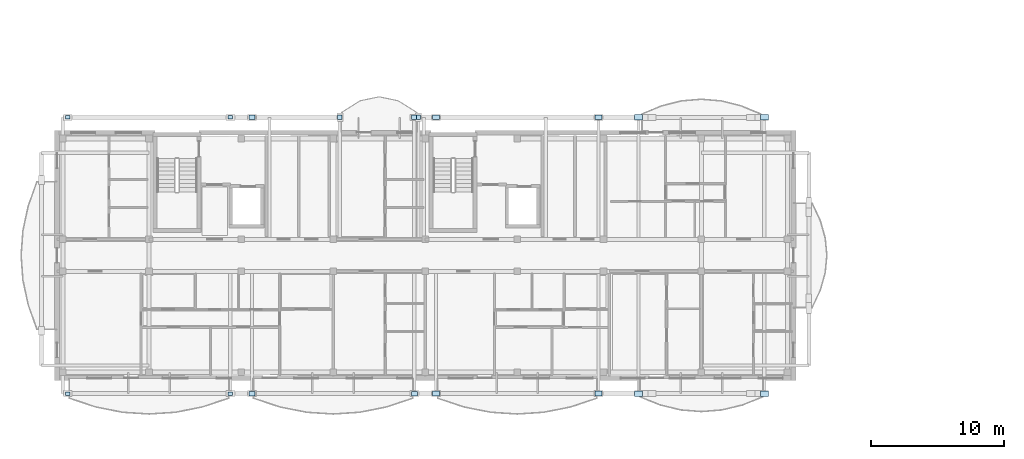
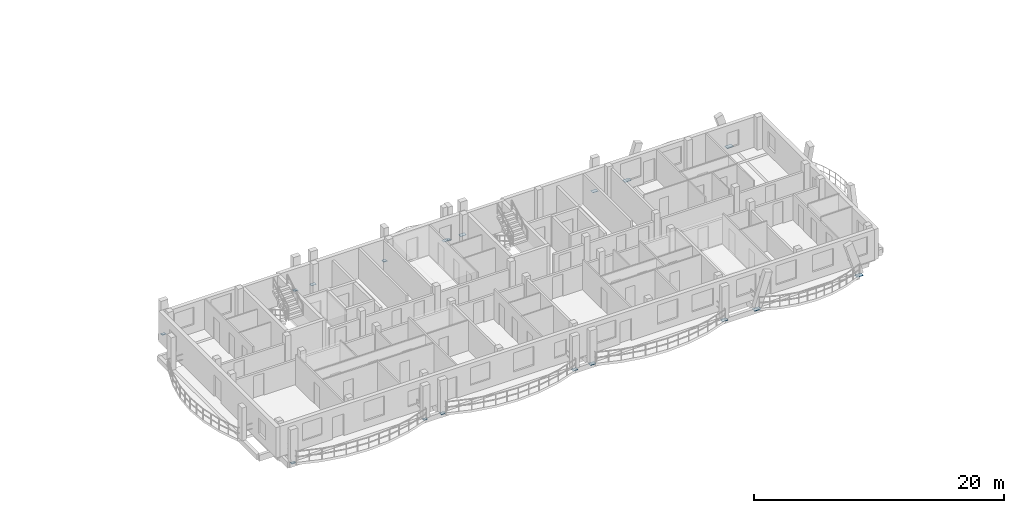
# One storey, part 10 of 44: 18 plates.
"""IFC4 building model written with IfcOpenShell, lengths in metres."""

from ifc_helpers import new_model, si_unit, direction, frame, origin, origin_2d, place, context, subcontext, project, spatial, rectangle, extrude, material, layer, layer_set, type_object, element, save


model = new_model("IFC4")

# Units and contexts
model_context = context("Model", 3, precision=1e-05, world=origin(), true_north=direction((0.0, 1.0)))
body_context = subcontext(model_context, "Body", "Model", "MODEL_VIEW")
ifc_project = project(units=[si_unit("LENGTHUNIT", "METRE"), si_unit("AREAUNIT", "SQUARE_METRE"), si_unit("VOLUMEUNIT", "CUBIC_METRE"), si_unit("PLANEANGLEUNIT", "RADIAN"), si_unit("MASSUNIT", "GRAM", prefix="KILO")], contexts=[model_context])

# Site, building, storey
site_placement = place(None, origin())
site = spatial("IfcSite", under=ifc_project, at=site_placement, CompositionType="ELEMENT")
building_placement = place(site_placement, origin())
building = spatial("IfcBuilding", under=site, at=building_placement, Name="Zavelmont Quarter", CompositionType="ELEMENT")
storey_placement = place(building_placement, frame((0.0, 0.0, 20.800048828125)))
storey = spatial("IfcBuildingStorey", under=building, at=storey_placement, Name="L06", CompositionType="ELEMENT", Elevation=20.800048828125)

# Plates
ifc_material = material(Name="Steel S355", Category="steel")
ifc_layer_1 = layer(ifc_material, 0.02392578125)
ifc_layer_set_1 = layer_set([ifc_layer_1], Name="Steel S355")
plate_type_1 = type_object("IfcPlateType", Name="NP02", PredefinedType="SHEET", material=ifc_layer_set_1)
for number, where, z_axis, x_axis, name in (
    (1, (0.812255859375, -1.162109375, -0.2119140625), (0.0, 0.0, 1.0), (1.0, 0.0, 0.0), "L06 steel connection plate NP02 at 1/A"),
    (2, (12.98779296875, -1.162109375, -0.2119140625), (0.0, 0.0, 1.0), (1.0, 0.0, 0.0), "L06 steel connection plate NP02 at 3/A"),
    (3, (0.812255859375, 19.56201171875, -0.2119140625), (0.0, 0.0, 1.0), (1.0, 0.0, 0.0), "L06 steel connection plate NP02 at 1/D"),
    (4, (12.98779296875, 19.56201171875, -0.2119140625), (0.0, 0.0, 1.0), (1.0, 0.0, 0.0), "L06 steel connection plate NP02 at 3/D"),
):
    element("IfcPlate", number, at=place(storey_placement, frame(where, z_axis=z_axis, x_axis=x_axis)), inside=storey, type_object=plate_type_1, Name=name, PredefinedType="SHEET", context=body_context, shape_type="SweptSolid", body=[
        extrude(rectangle(XDim=0.360107421875, YDim=0.260009765625, at=origin_2d()), origin(), (0.0, 0.0, 1.0), 0.02392578125),
    ])
ifc_layer_2 = layer(ifc_material, 0.02490234375)
ifc_layer_set_2 = layer_set([ifc_layer_2], Name="Steel S355")
plate_type_2 = type_object("IfcPlateType", Name="NP03", PredefinedType="SHEET", material=ifc_layer_set_2)
for number, where, z_axis, x_axis, name in (
    (5, (14.6123046875, -1.162109375, -0.21240234375), (0.0, 0.0, 1.0), (1.0, 0.0, 0.0), "L06 steel connection plate NP03 at 3/A"),
    (6, (26.787841796875, -1.162109375, -0.21240234375), (0.0, 0.0, 1.0), (1.0, 0.0, 0.0), "L06 steel connection plate NP03 at 5/A"),
    (7, (14.6123046875, 19.56201171875, -0.21240234375), (0.0, 0.0, 1.0), (1.0, 0.0, 0.0), "L06 steel connection plate NP03 at 3/D"),
    (8, (26.787841796875, 19.56201171875, -0.21240234375), (0.0, 0.0, 1.0), (1.0, 0.0, 0.0), "L06 steel connection plate NP03 at 5/D"),
):
    element("IfcPlate", number, at=place(storey_placement, frame(where, z_axis=z_axis, x_axis=x_axis)), inside=storey, type_object=plate_type_2, Name=name, PredefinedType="SHEET", context=body_context, shape_type="SweptSolid", body=[
        extrude(rectangle(XDim=0.43994140625, YDim=0.320068359375, at=origin_2d()), origin(), (0.0, 0.0, 1.0), 0.02490234375),
    ])
ifc_layer_3 = layer(ifc_material, 0.028076171875)
ifc_layer_set_3 = layer_set([ifc_layer_3], Name="Steel S355")
plate_type_3 = type_object("IfcPlateType", Name="NP04", PredefinedType="SHEET", material=ifc_layer_set_3)
for number, where, z_axis, x_axis, name in (
    (9, (28.412109375, -1.162109375, -0.2138671875), (0.0, 0.0, 1.0), (1.0, 0.0, 0.0), "L06 steel connection plate NP04 at 5/A"),
    (10, (40.587890625, -1.162109375, -0.2138671875), (0.0, 0.0, 1.0), (1.0, 0.0, 0.0), "L06 steel connection plate NP04 at 7/A"),
    (11, (28.412109375, 19.56201171875, -0.2138671875), (0.0, 0.0, 1.0), (1.0, 0.0, 0.0), "L06 steel connection plate NP04 at 5/D"),
    (12, (40.587890625, 19.56201171875, -0.2138671875), (0.0, 0.0, 1.0), (1.0, 0.0, 0.0), "L06 steel connection plate NP04 at 7/D"),
):
    element("IfcPlate", number, at=place(storey_placement, frame(where, z_axis=z_axis, x_axis=x_axis)), inside=storey, type_object=plate_type_3, Name=name, PredefinedType="SHEET", context=body_context, shape_type="SweptSolid", body=[
        extrude(rectangle(XDim=0.52001953125, YDim=0.360107421875, at=origin_2d()), origin(), (0.0, 0.0, 1.0), 0.028076171875),
    ])
ifc_layer_4 = layer(ifc_material, 0.030029296875)
ifc_layer_set_4 = layer_set([ifc_layer_4], Name="Steel S355")
plate_type_4 = type_object("IfcPlateType", Name="NP05", PredefinedType="SHEET", material=ifc_layer_set_4)
for number, where, z_axis, x_axis, name in (
    (13, (43.585205078125, -1.162109375, -0.21484375), (0.0, 0.0, 1.0), (1.0, 0.0, 0.0), "L06 steel connection plate NP05 at 7/A"),
    (14, (53.0146484375, -1.162109375, -0.21484375), (0.0, 0.0, 1.0), (1.0, 0.0, 0.0), "L06 steel connection plate NP05 at 9/A"),
    (15, (43.585205078125, 19.56201171875, -0.21484375), (0.0, 0.0, 1.0), (1.0, 0.0, 0.0), "L06 steel connection plate NP05 at 7/D"),
    (16, (53.0146484375, 19.56201171875, -0.21484375), (0.0, 0.0, 1.0), (1.0, 0.0, 0.0), "L06 steel connection plate NP05 at 9/D"),
):
    element("IfcPlate", number, at=place(storey_placement, frame(where, z_axis=z_axis, x_axis=x_axis)), inside=storey, type_object=plate_type_4, Name=name, PredefinedType="SHEET", context=body_context, shape_type="SweptSolid", body=[
        extrude(rectangle(XDim=0.60009765625, YDim=0.39990234375, at=origin_2d()), origin(), (0.0, 0.0, 1.0), 0.030029296875),
    ])
ifc_layer_5 = layer(ifc_material, 0.02197265625)
ifc_layer_set_5 = layer_set([ifc_layer_5], Name="Steel S355")
plate_type_5 = type_object("IfcPlateType", Name="NP06", PredefinedType="SHEET", material=ifc_layer_set_5)
for number, where, z_axis, x_axis, name in (
    (17, (21.199951171875, 19.56201171875, -0.2109375), (0.0, 0.0, 1.0), (1.0, 0.0, 0.0), "L06 steel connection plate NP06 at 4/D"),
    (18, (27.10009765625, 19.56201171875, -0.2109375), (0.0, 0.0, 1.0), (1.0, 0.0, 0.0), "L06 steel connection plate NP06 at 5/D"),
):
    element("IfcPlate", number, at=place(storey_placement, frame(where, z_axis=z_axis, x_axis=x_axis)), inside=storey, type_object=plate_type_5, Name=name, PredefinedType="SHEET", context=body_context, shape_type="SweptSolid", body=[
        extrude(rectangle(XDim=0.320068359375, YDim=0.320068359375, at=origin_2d()), origin(), (0.0, 0.0, 1.0), 0.02197265625),
    ])

save(model, "model.ifc")
